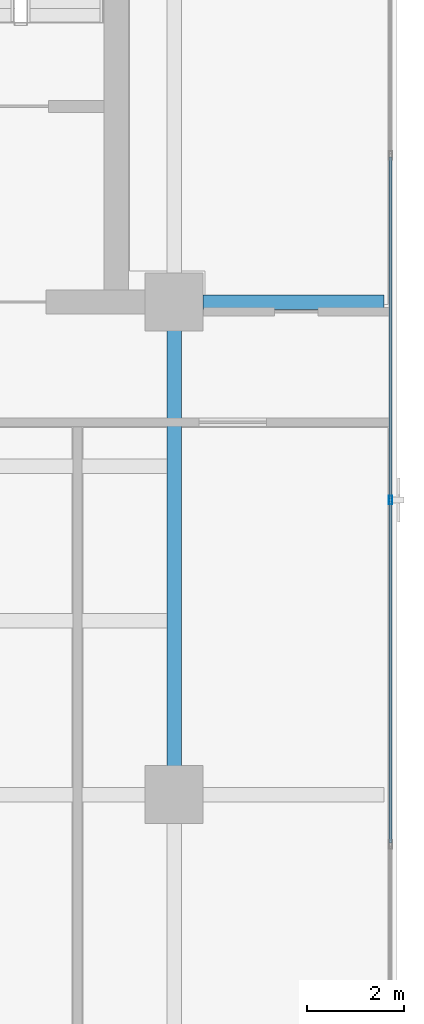
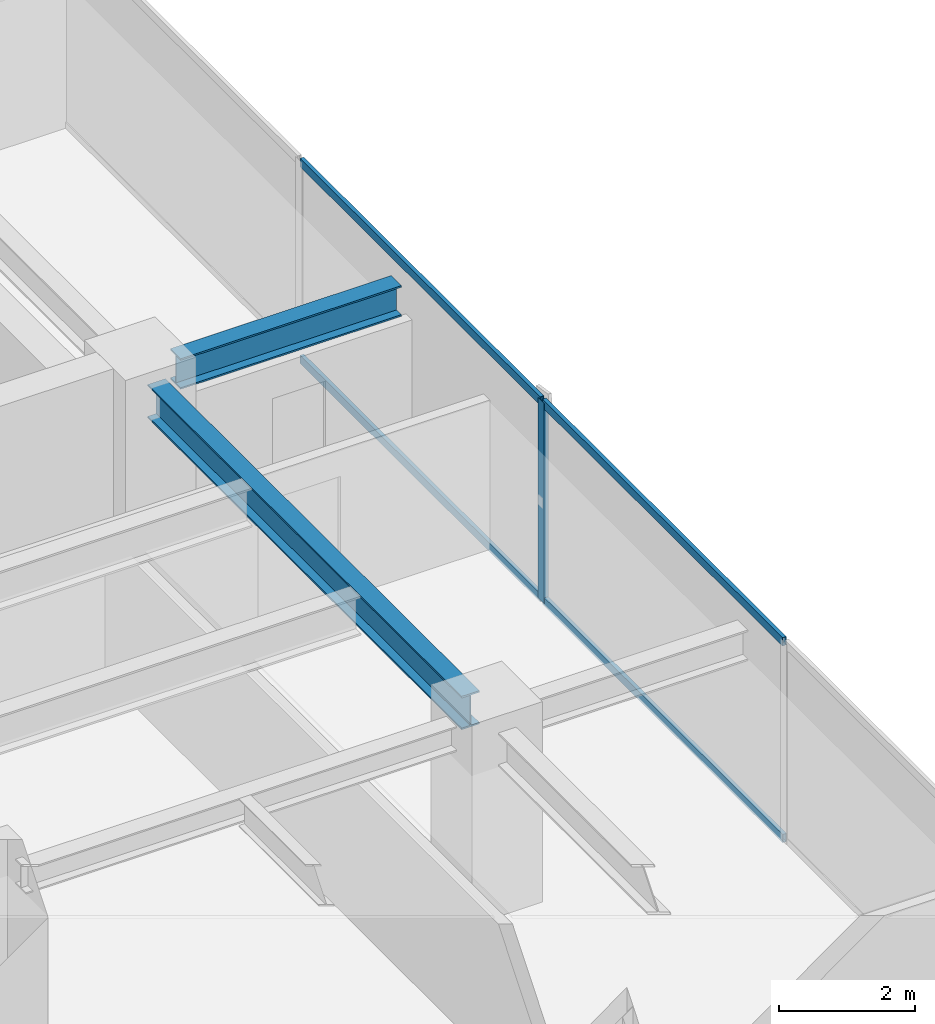
# One storey, part 9 of 21: 5 members, 2 beams, 1 element without a shape of its own.
"""IFC4 building model written with IfcOpenShell, lengths in metres."""

from ifc_helpers import new_model, si_unit, direction, frame, origin, origin_2d, place, context, subcontext, project, spatial, hollow_rectangle, i_section, extrude, source, transform, mapped, material, layer, layer_set, material_profile, profile_set, type_object, element, aggregate, save


model = new_model("IFC4")

# Units and contexts
model_context = context("Model", 3, precision=1e-05, world=origin(), true_north=direction((0.0, 1.0)))
body_context = subcontext(model_context, "Body", "Model", "MODEL_VIEW")
ifc_project = project(units=[si_unit("LENGTHUNIT", "METRE"), si_unit("AREAUNIT", "SQUARE_METRE"), si_unit("VOLUMEUNIT", "CUBIC_METRE"), si_unit("PLANEANGLEUNIT", "RADIAN"), si_unit("MASSUNIT", "GRAM", prefix="KILO")], contexts=[model_context])

# Site, building, storey
site_placement = place(None, origin())
site = spatial("IfcSite", under=ifc_project, at=site_placement, CompositionType="ELEMENT")
building_placement = place(site_placement, origin())
building = spatial("IfcBuilding", under=site, at=building_placement, Name="Sumidabori Civic Tower", CompositionType="ELEMENT")
storey_placement = place(building_placement, frame((0.0, 0.0, 290.0)))
storey = spatial("IfcBuildingStorey", under=building, at=storey_placement, Name="L76", CompositionType="ELEMENT", Elevation=290.0)

# Beams
ifc_material_1 = material(Name="Steel SN490", Category="steel")
ifc_material_profile_1 = material_profile(ifc_material_1, i_section(OverallWidth=0.300048828125, OverallDepth=0.60009765625, WebThickness=0.015380859375, FlangeThickness=0.030029296875, at=origin_2d()), Name="HE 600 B")
ifc_profile_set_1 = profile_set([ifc_material_profile_1], Name="Steel SN490")
beam_type_1 = type_object("IfcBeamType", Name="BM-GIRD-600", PredefinedType="BEAM", material=ifc_profile_set_1)
shared_shape_1 = source(origin(), body_context, "Body", "SweptSolid", [
    extrude(i_section(OverallWidth=0.300048828125, OverallDepth=0.60009765625, WebThickness=0.015380859375, FlangeThickness=0.030029296875, at=origin_2d()), origin(), (0.0, 0.0, 1.0), 9.239990234375),
])
beam_1_placement = place(storey_placement, frame((16.800048828125, 0.47998046875, 3.0), z_axis=(0.0, 1.0, 0.0), x_axis=(-1.0, 0.0, 0.0)))
element("IfcBeam", 1, at=beam_1_placement, inside=storey, type_object=beam_type_1, Name="Primary Girder L76 GY-16", PredefinedType="BEAM", context=body_context, shape_type="MappedRepresentation", body=[
    mapped(shared_shape_1, transform((0.0, 0.0, 0.0), x_axis=(1.0, 0.0, 0.0), y_axis=(0.0, 1.0, 0.0), z_axis=(0.0, 0.0, 1.0), scale=1.0)),
])
ifc_material_profile_2 = material_profile(ifc_material_1, i_section(OverallWidth=0.300048828125, OverallDepth=0.550048828125, WebThickness=0.014892578125, FlangeThickness=0.029052734375, at=origin_2d()), Name="HE 550 B")
ifc_profile_set_2 = profile_set([ifc_material_profile_2], Name="Steel SN490")
beam_type_2 = type_object("IfcBeamType", Name="BM-Z4-EDGE", PredefinedType="SPANDREL", material=ifc_profile_set_2)
shared_shape_2 = source(origin(), body_context, "Body", "SweptSolid", [
    extrude(i_section(OverallWidth=0.300048828125, OverallDepth=0.550048828125, WebThickness=0.014892578125, FlangeThickness=0.029052734375, at=origin_2d()), origin(), (0.0, 0.0, 1.0), 3.75),
])
beam_2_placement = place(storey_placement, frame((17.39990234375, 10.199951171875, 3.02490234375), z_axis=(1.0, 0.0, 0.0), x_axis=(0.0, 1.0, 0.0)))
element("IfcBeam", 2, at=beam_2_placement, inside=storey, type_object=beam_type_2, Name="Perimeter Overhang Beam L76 E-20", PredefinedType="SPANDREL", context=body_context, shape_type="MappedRepresentation", body=[
    mapped(shared_shape_2, transform((0.0, 0.0, 0.0), x_axis=(1.0, 0.0, 0.0), y_axis=(0.0, 1.0, 0.0), z_axis=(0.0, 0.0, 1.0), scale=1.0)),
])

# Curtain wall, members
ifc_material_2 = material(Name="Anodised Bronze Aluminium AW-6063-T6", Category="aluminium")
ifc_layer = layer(ifc_material_2, 0.179931640625, Name="Anodised Bronze Aluminium AW-6063-T6")
ifc_layer_set = layer_set([ifc_layer], Name="Anodised Bronze Aluminium AW-6063-T6")
curtain_wall_type = type_object("IfcCurtainWallType", Name="CW-SYS-6", PredefinedType="NOTDEFINED", material=ifc_layer_set)
curtain_wall_placement = place(storey_placement, origin())
curtain_wall = element("IfcCurtainWall", 3, at=curtain_wall_placement, inside=storey, type_object=curtain_wall_type, Name="Curtain Wall CW:L76:R04", PredefinedType="NOTDEFINED")
ifc_material_profile_3 = material_profile(ifc_material_2, hollow_rectangle(XDim=0.06494140625, YDim=0.14990234375, WallThickness=0.0048828125, at=origin_2d()), Name="ALU TRANSOM 150x65")
ifc_profile_set_3 = profile_set([ifc_material_profile_3], Name="Anodised Bronze Aluminium AW-6063-T6")
member_type_1 = type_object("IfcMemberType", Name="CW-TRN-150", PredefinedType="USERDEFINED", material=ifc_profile_set_3)
shared_shape_3 = source(origin(), body_context, "Body", "SweptSolid", [
    extrude(hollow_rectangle(XDim=0.06494140625, YDim=0.14990234375, WallThickness=0.0048828125, at=origin_2d()), origin(), (0.0, 0.0, 1.0), 7.06494140625),
])
member_1_placement = place(storey_placement, frame((21.280029296875, -1.0, 0.032470703125), z_axis=(0.0, 1.0, 0.0), x_axis=(-1.0, 0.0, 0.0)))
member_1 = element("IfcMember", 4, at=member_1_placement, type_object=member_type_1, Name="CW-6 transom 2.1", ObjectType="TRANSOM", PredefinedType="USERDEFINED", context=body_context, shape_type="MappedRepresentation", body=[
    mapped(shared_shape_3, transform((0.0, 0.0, 0.0), x_axis=(1.0, 0.0, 0.0), y_axis=(0.0, 1.0, 0.0), z_axis=(0.0, 0.0, 1.0), scale=1.0)),
])
member_2_placement = place(storey_placement, frame((21.280029296875, -1.0, 3.5673828125), z_axis=(0.0, 1.0, 0.0), x_axis=(-1.0, 0.0, 0.0)))
member_2 = element("IfcMember", 5, at=member_2_placement, type_object=member_type_1, Name="CW-6 transom 2.2", ObjectType="TRANSOM", PredefinedType="USERDEFINED", context=body_context, shape_type="MappedRepresentation", body=[
    mapped(shared_shape_3, transform((0.0, 0.0, 0.0), x_axis=(1.0, 0.0, 0.0), y_axis=(0.0, 1.0, 0.0), z_axis=(0.0, 0.0, 1.0), scale=1.0)),
])
member_3_placement = place(storey_placement, frame((21.280029296875, 6.135009765625, 0.032470703125), z_axis=(0.0, 1.0, 0.0), x_axis=(-1.0, 0.0, 0.0)))
member_3 = element("IfcMember", 6, at=member_3_placement, type_object=member_type_1, Name="CW-6 transom 3.1", ObjectType="TRANSOM", PredefinedType="USERDEFINED", context=body_context, shape_type="MappedRepresentation", body=[
    mapped(shared_shape_3, transform((0.0, 0.0, 0.0), x_axis=(1.0, 0.0, 0.0), y_axis=(0.0, 1.0, 0.0), z_axis=(0.0, 0.0, 1.0), scale=1.0)),
])
member_4_placement = place(storey_placement, frame((21.280029296875, 6.135009765625, 3.5673828125), z_axis=(0.0, 1.0, 0.0), x_axis=(-1.0, 0.0, 0.0)))
member_4 = element("IfcMember", 7, at=member_4_placement, type_object=member_type_1, Name="CW-6 transom 3.2", ObjectType="TRANSOM", PredefinedType="USERDEFINED", context=body_context, shape_type="MappedRepresentation", body=[
    mapped(shared_shape_3, transform((0.0, 0.0, 0.0), x_axis=(1.0, 0.0, 0.0), y_axis=(0.0, 1.0, 0.0), z_axis=(0.0, 0.0, 1.0), scale=1.0)),
])
ifc_material_profile_4 = material_profile(ifc_material_2, hollow_rectangle(XDim=0.070068359375, YDim=0.179931640625, WallThickness=0.006103515625, at=origin_2d()), Name="ALU MULLION 180x70")
ifc_profile_set_4 = profile_set([ifc_material_profile_4], Name="Anodised Bronze Aluminium AW-6063-T6")
member_type_2 = type_object("IfcMemberType", Name="CW-MUL-180", PredefinedType="MULLION", material=ifc_profile_set_4)
shared_shape_4 = source(origin(), body_context, "Body", "SweptSolid", [
    extrude(hollow_rectangle(XDim=0.070068359375, YDim=0.179931640625, WallThickness=0.006103515625, at=origin_2d()), origin(), (0.0, 0.0, 1.0), 3.60009765625),
])
member_5_placement = place(storey_placement, frame((21.280029296875, 6.10009765625, 0.0), z_axis=(0.0, 0.0, 1.0), x_axis=(-1.0, 0.0, 0.0)))
member_5 = element("IfcMember", 8, at=member_5_placement, type_object=member_type_2, Name="CW-6 mullion 3", PredefinedType="MULLION", context=body_context, shape_type="MappedRepresentation", body=[
    mapped(shared_shape_4, transform((0.0, 0.0, 0.0), x_axis=(1.0, 0.0, 0.0), y_axis=(0.0, 1.0, 0.0), z_axis=(0.0, 0.0, 1.0), scale=1.0)),
])
aggregate(curtain_wall, [member_5, member_1, member_2, member_3, member_4])

save(model, "model.ifc")
